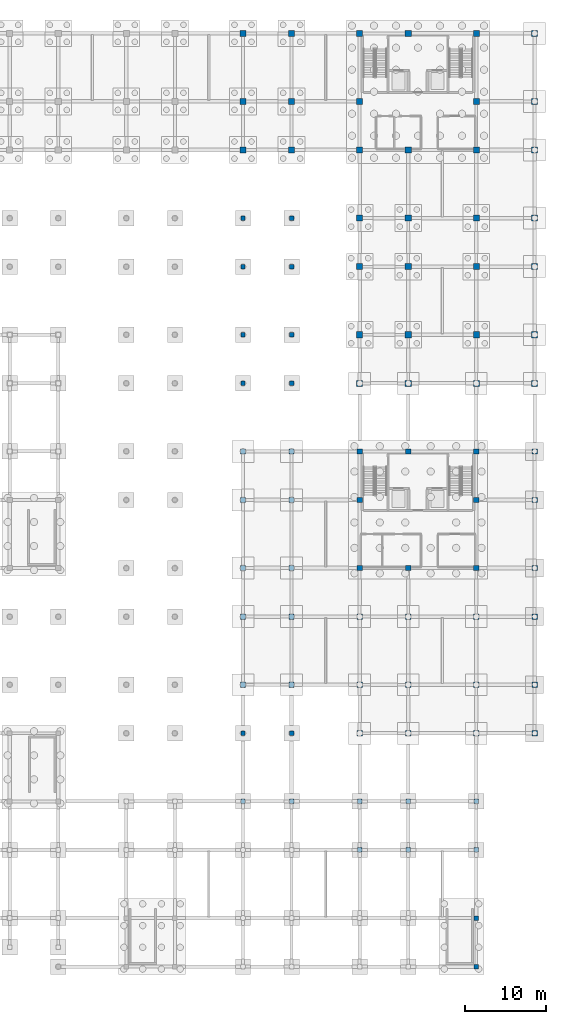
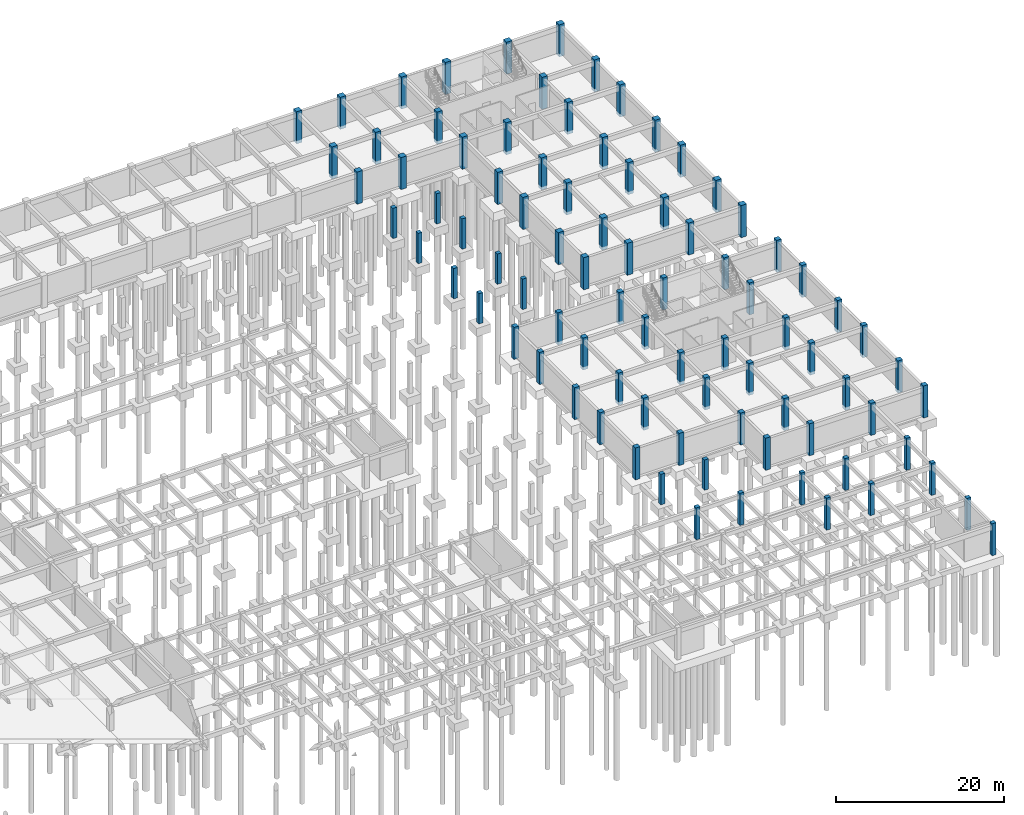
# One storey, part 16 of 40: 86 columns.
"""IFC4 building model written with IfcOpenShell, lengths in metres."""

from ifc_helpers import new_model, si_unit, direction, frame, origin, origin_2d, place, context, subcontext, project, spatial, rectangle, extrude, material, material_profile, profile_set, type_object, element, save


model = new_model("IFC4")

# Units and contexts
model_context = context("Model", 3, precision=1e-05, world=origin(), true_north=direction((0.0, 1.0)))
body_context = subcontext(model_context, "Body", "Model", "MODEL_VIEW")
ifc_project = project(units=[si_unit("LENGTHUNIT", "METRE"), si_unit("AREAUNIT", "SQUARE_METRE"), si_unit("VOLUMEUNIT", "CUBIC_METRE"), si_unit("PLANEANGLEUNIT", "RADIAN"), si_unit("MASSUNIT", "GRAM", prefix="KILO"), si_unit("THERMODYNAMICTEMPERATUREUNIT", "KELVIN")], contexts=[model_context])

# Site, building, storey
site_placement = place(None, origin())
site = spatial("IfcSite", under=ifc_project, at=site_placement, CompositionType="ELEMENT")
building_placement = place(site_placement, origin())
building = spatial("IfcBuilding", under=site, at=building_placement, Name="Thalorik Housing Commons", CompositionType="ELEMENT")
storey_placement = place(building_placement, frame((0.0, 0.0, -4.199951171875)))
storey = spatial("IfcBuildingStorey", under=building, at=storey_placement, Name="B1", CompositionType="ELEMENT", Elevation=-4.199951171875)

# Columns
ifc_material = material(Name="Precast concrete C40/50", Category="concrete")
ifc_material_profile_1 = material_profile(ifc_material, rectangle(XDim=0.550048828125, YDim=0.550048828125, at=origin_2d()), Name="PC 550x550", Category="concrete")
ifc_profile_set_1 = profile_set([ifc_material_profile_1], Name="Precast concrete C40/50")
column_type_1 = type_object("IfcColumnType", Name="STR-COL-PC550", PredefinedType="COLUMN", material=ifc_profile_set_1)
for number, where, z_axis, x_axis, name in (
    (1, (138.0, 28.800048828125, -0.449951171875), (0.0, 0.0, 1.0), (1.0, 0.0, 0.0), "B1 Column C-550"),
    (2, (144.0, 28.800048828125, -0.449951171875), (0.0, 0.0, 1.0), (1.0, 0.0, 0.0), "B1 Column C-550"),
    (3, (152.39990234375, 22.800048828125, -0.449951171875), (0.0, 0.0, 1.0), (1.0, 0.0, 0.0), "B1 Column C-550"),
    (4, (152.39990234375, 28.800048828125, -0.449951171875), (0.0, 0.0, 1.0), (1.0, 0.0, 0.0), "B1 Column C-550"),
    (5, (158.39990234375, 22.800048828125, -0.449951171875), (0.0, 0.0, 1.0), (1.0, 0.0, 0.0), "B1 Column C-550"),
    (6, (158.39990234375, 28.800048828125, -0.449951171875), (0.0, 0.0, 1.0), (1.0, 0.0, 0.0), "B1 Column C-550"),
    (7, (166.800048828125, 8.39990234375, -0.449951171875), (0.0, 0.0, 1.0), (1.0, 0.0, 0.0), "B1 Column C-550"),
    (8, (166.800048828125, 14.39990234375, -0.449951171875), (0.0, 0.0, 1.0), (1.0, 0.0, 0.0), "B1 Column C-550"),
    (9, (166.800048828125, 22.800048828125, -0.449951171875), (0.0, 0.0, 1.0), (1.0, 0.0, 0.0), "B1 Column C-550"),
    (10, (166.800048828125, 28.800048828125, -0.449951171875), (0.0, 0.0, 1.0), (1.0, 0.0, 0.0), "B1 Column C-550"),
):
    element("IfcColumn", number, at=place(storey_placement, frame(where, z_axis=z_axis, x_axis=x_axis)), inside=storey, type_object=column_type_1, Name=name, PredefinedType="COLUMN", context=body_context, shape_type="SweptSolid", body=[
        extrude(rectangle(XDim=0.550048828125, YDim=0.550048828125, at=origin_2d()), origin(), (0.0, 0.0, 1.0), 4.64990234375),
    ])
for number, where, z_axis, x_axis, name in (
    (11, (138.0, 37.199951171875, -0.449951171875), (0.0, 0.0, 1.0), (1.0, 0.0, 0.0), "B1 Plaza Support Pier 53"),
    (12, (138.0, 80.39990234375, -0.449951171875), (0.0, 0.0, 1.0), (1.0, 0.0, 0.0), "B1 Plaza Support Pier 54"),
    (13, (138.0, 86.39990234375, -0.449951171875), (0.0, 0.0, 1.0), (1.0, 0.0, 0.0), "B1 Plaza Support Pier 55"),
    (14, (138.0, 94.800048828125, -0.449951171875), (0.0, 0.0, 1.0), (1.0, 0.0, 0.0), "B1 Plaza Support Pier 56"),
    (15, (138.0, 100.800048828125, -0.449951171875), (0.0, 0.0, 1.0), (1.0, 0.0, 0.0), "B1 Plaza Support Pier 57"),
    (16, (144.0, 37.199951171875, -0.449951171875), (0.0, 0.0, 1.0), (1.0, 0.0, 0.0), "B1 Plaza Support Pier 58"),
    (17, (144.0, 80.39990234375, -0.449951171875), (0.0, 0.0, 1.0), (1.0, 0.0, 0.0), "B1 Plaza Support Pier 59"),
    (18, (144.0, 86.39990234375, -0.449951171875), (0.0, 0.0, 1.0), (1.0, 0.0, 0.0), "B1 Plaza Support Pier 60"),
    (19, (144.0, 94.800048828125, -0.449951171875), (0.0, 0.0, 1.0), (1.0, 0.0, 0.0), "B1 Plaza Support Pier 61"),
    (20, (144.0, 100.800048828125, -0.449951171875), (0.0, 0.0, 1.0), (1.0, 0.0, 0.0), "B1 Plaza Support Pier 62"),
):
    element("IfcColumn", number, at=place(storey_placement, frame(where, z_axis=z_axis, x_axis=x_axis)), inside=storey, type_object=column_type_1, Name=name, PredefinedType="COLUMN", context=body_context, shape_type="SweptSolid", body=[
        extrude(rectangle(XDim=0.550048828125, YDim=0.550048828125, at=origin_2d()), origin(), (0.0, 0.0, 1.0), 4.39990234375),
    ])
ifc_material_profile_2 = material_profile(ifc_material, rectangle(XDim=0.64990234375, YDim=0.64990234375, at=origin_2d()), Name="PC 650x650", Category="concrete")
ifc_profile_set_2 = profile_set([ifc_material_profile_2], Name="Precast concrete C40/50")
column_type_2 = type_object("IfcColumnType", Name="STR-COL-PC650", PredefinedType="COLUMN", material=ifc_profile_set_2)
for number, where, z_axis, x_axis, name in (
    (21, (138.0, 43.199951171875, -0.449951171875), (0.0, 0.0, 1.0), (1.0, 0.0, 0.0), "B1 Column C-650"),
    (22, (138.0, 51.60009765625, -0.449951171875), (0.0, 0.0, 1.0), (1.0, 0.0, 0.0), "B1 Column C-650"),
    (23, (138.0, 57.60009765625, -0.449951171875), (0.0, 0.0, 1.0), (1.0, 0.0, 0.0), "B1 Column C-650"),
    (24, (138.0, 66.0, -0.449951171875), (0.0, 0.0, 1.0), (1.0, 0.0, 0.0), "B1 Column C-650"),
    (25, (138.0, 72.0, -0.449951171875), (0.0, 0.0, 1.0), (1.0, 0.0, 0.0), "B1 Column C-650"),
    (26, (144.0, 43.199951171875, -0.449951171875), (0.0, 0.0, 1.0), (1.0, 0.0, 0.0), "B1 Column C-650"),
    (27, (144.0, 51.60009765625, -0.449951171875), (0.0, 0.0, 1.0), (1.0, 0.0, 0.0), "B1 Column C-650"),
    (28, (144.0, 57.60009765625, -0.449951171875), (0.0, 0.0, 1.0), (1.0, 0.0, 0.0), "B1 Column C-650"),
    (29, (144.0, 66.0, -0.449951171875), (0.0, 0.0, 1.0), (1.0, 0.0, 0.0), "B1 Column C-650"),
    (30, (144.0, 72.0, -0.449951171875), (0.0, 0.0, 1.0), (1.0, 0.0, 0.0), "B1 Column C-650"),
    (31, (152.39990234375, 37.199951171875, -0.449951171875), (0.0, 0.0, 1.0), (1.0, 0.0, 0.0), "B1 Column C-650"),
    (32, (152.39990234375, 43.199951171875, -0.449951171875), (0.0, 0.0, 1.0), (1.0, 0.0, 0.0), "B1 Column C-650"),
    (33, (152.39990234375, 51.60009765625, -0.449951171875), (0.0, 0.0, 1.0), (1.0, 0.0, 0.0), "B1 Column C-650"),
    (34, (152.39990234375, 57.60009765625, -0.449951171875), (0.0, 0.0, 1.0), (1.0, 0.0, 0.0), "B1 Column C-650"),
    (35, (152.39990234375, 66.0, -0.449951171875), (0.0, 0.0, 1.0), (1.0, 0.0, 0.0), "B1 Column C-650"),
    (36, (152.39990234375, 72.0, -0.449951171875), (0.0, 0.0, 1.0), (1.0, 0.0, 0.0), "B1 Column C-650"),
    (37, (158.39990234375, 37.199951171875, -0.449951171875), (0.0, 0.0, 1.0), (1.0, 0.0, 0.0), "B1 Column C-650"),
    (38, (158.39990234375, 43.199951171875, -0.449951171875), (0.0, 0.0, 1.0), (1.0, 0.0, 0.0), "B1 Column C-650"),
    (39, (158.39990234375, 51.60009765625, -0.449951171875), (0.0, 0.0, 1.0), (1.0, 0.0, 0.0), "B1 Column C-650"),
    (40, (158.39990234375, 57.60009765625, -0.449951171875), (0.0, 0.0, 1.0), (1.0, 0.0, 0.0), "B1 Column C-650"),
    (41, (158.39990234375, 72.0, -0.449951171875), (0.0, 0.0, 1.0), (1.0, 0.0, 0.0), "B1 Column C-650"),
    (42, (166.800048828125, 37.199951171875, -0.449951171875), (0.0, 0.0, 1.0), (1.0, 0.0, 0.0), "B1 Column C-650"),
    (43, (166.800048828125, 43.199951171875, -0.449951171875), (0.0, 0.0, 1.0), (1.0, 0.0, 0.0), "B1 Column C-650"),
    (44, (166.800048828125, 51.60009765625, -0.449951171875), (0.0, 0.0, 1.0), (1.0, 0.0, 0.0), "B1 Column C-650"),
    (45, (166.800048828125, 57.60009765625, -0.449951171875), (0.0, 0.0, 1.0), (1.0, 0.0, 0.0), "B1 Column C-650"),
    (46, (166.800048828125, 66.0, -0.449951171875), (0.0, 0.0, 1.0), (1.0, 0.0, 0.0), "B1 Column C-650"),
    (47, (166.800048828125, 72.0, -0.449951171875), (0.0, 0.0, 1.0), (1.0, 0.0, 0.0), "B1 Column C-650"),
    (48, (174.0, 37.199951171875, -0.449951171875), (0.0, 0.0, 1.0), (1.0, 0.0, 0.0), "B1 Column C-650"),
    (49, (174.0, 43.199951171875, -0.449951171875), (0.0, 0.0, 1.0), (1.0, 0.0, 0.0), "B1 Column C-650"),
    (50, (174.0, 51.60009765625, -0.449951171875), (0.0, 0.0, 1.0), (1.0, 0.0, 0.0), "B1 Column C-650"),
    (51, (174.0, 57.60009765625, -0.449951171875), (0.0, 0.0, 1.0), (1.0, 0.0, 0.0), "B1 Column C-650"),
    (52, (174.0, 66.0, -0.449951171875), (0.0, 0.0, 1.0), (1.0, 0.0, 0.0), "B1 Column C-650"),
    (53, (174.0, 72.0, -0.449951171875), (0.0, 0.0, 1.0), (1.0, 0.0, 0.0), "B1 Column C-650"),
):
    element("IfcColumn", number, at=place(storey_placement, frame(where, z_axis=z_axis, x_axis=x_axis)), inside=storey, type_object=column_type_2, Name=name, PredefinedType="COLUMN", context=body_context, shape_type="SweptSolid", body=[
        extrude(rectangle(XDim=0.64990234375, YDim=0.64990234375, at=origin_2d()), origin(), (0.0, 0.0, 1.0), 4.64990234375),
    ])
ifc_material_profile_3 = material_profile(ifc_material, rectangle(XDim=0.75, YDim=0.75, at=origin_2d()), Name="PC 750x750", Category="concrete")
ifc_profile_set_3 = profile_set([ifc_material_profile_3], Name="Precast concrete C40/50")
column_type_3 = type_object("IfcColumnType", Name="STR-COL-PC750", PredefinedType="COLUMN", material=ifc_profile_set_3)
for number, where, z_axis, x_axis, name in (
    (54, (138.0, 109.199951171875, -0.449951171875), (0.0, 0.0, 1.0), (1.0, 0.0, 0.0), "B1 Column C-750"),
    (55, (138.0, 115.199951171875, -0.449951171875), (0.0, 0.0, 1.0), (1.0, 0.0, 0.0), "B1 Column C-750"),
    (56, (138.0, 123.60009765625, -0.449951171875), (0.0, 0.0, 1.0), (1.0, 0.0, 0.0), "B1 Column C-750"),
    (57, (144.0, 109.199951171875, -0.449951171875), (0.0, 0.0, 1.0), (1.0, 0.0, 0.0), "B1 Column C-750"),
    (58, (144.0, 115.199951171875, -0.449951171875), (0.0, 0.0, 1.0), (1.0, 0.0, 0.0), "B1 Column C-750"),
    (59, (144.0, 123.60009765625, -0.449951171875), (0.0, 0.0, 1.0), (1.0, 0.0, 0.0), "B1 Column C-750"),
    (60, (152.39990234375, 80.39990234375, -0.449951171875), (0.0, 0.0, 1.0), (1.0, 0.0, 0.0), "B1 Column C-750"),
    (61, (152.39990234375, 86.39990234375, -0.449951171875), (0.0, 0.0, 1.0), (1.0, 0.0, 0.0), "B1 Column C-750"),
    (62, (152.39990234375, 94.800048828125, -0.449951171875), (0.0, 0.0, 1.0), (1.0, 0.0, 0.0), "B1 Column C-750"),
    (63, (152.39990234375, 100.800048828125, -0.449951171875), (0.0, 0.0, 1.0), (1.0, 0.0, 0.0), "B1 Column C-750"),
    (64, (152.39990234375, 109.199951171875, -0.449951171875), (0.0, 0.0, 1.0), (1.0, 0.0, 0.0), "B1 Column C-750"),
    (65, (152.39990234375, 115.199951171875, -0.449951171875), (0.0, 0.0, 1.0), (1.0, 0.0, 0.0), "B1 Column C-750"),
    (66, (152.39990234375, 123.60009765625, -0.449951171875), (0.0, 0.0, 1.0), (1.0, 0.0, 0.0), "B1 Column C-750"),
    (67, (158.39990234375, 80.39990234375, -0.449951171875), (0.0, 0.0, 1.0), (1.0, 0.0, 0.0), "B1 Column C-750"),
    (68, (158.39990234375, 86.39990234375, -0.449951171875), (0.0, 0.0, 1.0), (1.0, 0.0, 0.0), "B1 Column C-750"),
    (69, (158.39990234375, 94.800048828125, -0.449951171875), (0.0, 0.0, 1.0), (1.0, 0.0, 0.0), "B1 Column C-750"),
    (70, (158.39990234375, 100.800048828125, -0.449951171875), (0.0, 0.0, 1.0), (1.0, 0.0, 0.0), "B1 Column C-750"),
    (71, (158.39990234375, 109.199951171875, -0.449951171875), (0.0, 0.0, 1.0), (1.0, 0.0, 0.0), "B1 Column C-750"),
    (72, (158.39990234375, 123.60009765625, -0.449951171875), (0.0, 0.0, 1.0), (1.0, 0.0, 0.0), "B1 Column C-750"),
    (73, (166.800048828125, 80.39990234375, -0.449951171875), (0.0, 0.0, 1.0), (1.0, 0.0, 0.0), "B1 Column C-750"),
    (74, (166.800048828125, 86.39990234375, -0.449951171875), (0.0, 0.0, 1.0), (1.0, 0.0, 0.0), "B1 Column C-750"),
    (75, (166.800048828125, 94.800048828125, -0.449951171875), (0.0, 0.0, 1.0), (1.0, 0.0, 0.0), "B1 Column C-750"),
    (76, (166.800048828125, 100.800048828125, -0.449951171875), (0.0, 0.0, 1.0), (1.0, 0.0, 0.0), "B1 Column C-750"),
    (77, (166.800048828125, 109.199951171875, -0.449951171875), (0.0, 0.0, 1.0), (1.0, 0.0, 0.0), "B1 Column C-750"),
    (78, (166.800048828125, 115.199951171875, -0.449951171875), (0.0, 0.0, 1.0), (1.0, 0.0, 0.0), "B1 Column C-750"),
    (79, (166.800048828125, 123.60009765625, -0.449951171875), (0.0, 0.0, 1.0), (1.0, 0.0, 0.0), "B1 Column C-750"),
    (80, (174.0, 80.39990234375, -0.449951171875), (0.0, 0.0, 1.0), (1.0, 0.0, 0.0), "B1 Column C-750"),
    (81, (174.0, 86.39990234375, -0.449951171875), (0.0, 0.0, 1.0), (1.0, 0.0, 0.0), "B1 Column C-750"),
    (82, (174.0, 94.800048828125, -0.449951171875), (0.0, 0.0, 1.0), (1.0, 0.0, 0.0), "B1 Column C-750"),
    (83, (174.0, 100.800048828125, -0.449951171875), (0.0, 0.0, 1.0), (1.0, 0.0, 0.0), "B1 Column C-750"),
    (84, (174.0, 109.199951171875, -0.449951171875), (0.0, 0.0, 1.0), (1.0, 0.0, 0.0), "B1 Column C-750"),
    (85, (174.0, 115.199951171875, -0.449951171875), (0.0, 0.0, 1.0), (1.0, 0.0, 0.0), "B1 Column C-750"),
    (86, (174.0, 123.60009765625, -0.449951171875), (0.0, 0.0, 1.0), (1.0, 0.0, 0.0), "B1 Column C-750"),
):
    element("IfcColumn", number, at=place(storey_placement, frame(where, z_axis=z_axis, x_axis=x_axis)), inside=storey, type_object=column_type_3, Name=name, PredefinedType="COLUMN", context=body_context, shape_type="SweptSolid", body=[
        extrude(rectangle(XDim=0.75, YDim=0.75, at=origin_2d()), origin(), (0.0, 0.0, 1.0), 4.64990234375),
    ])

save(model, "model.ifc")
